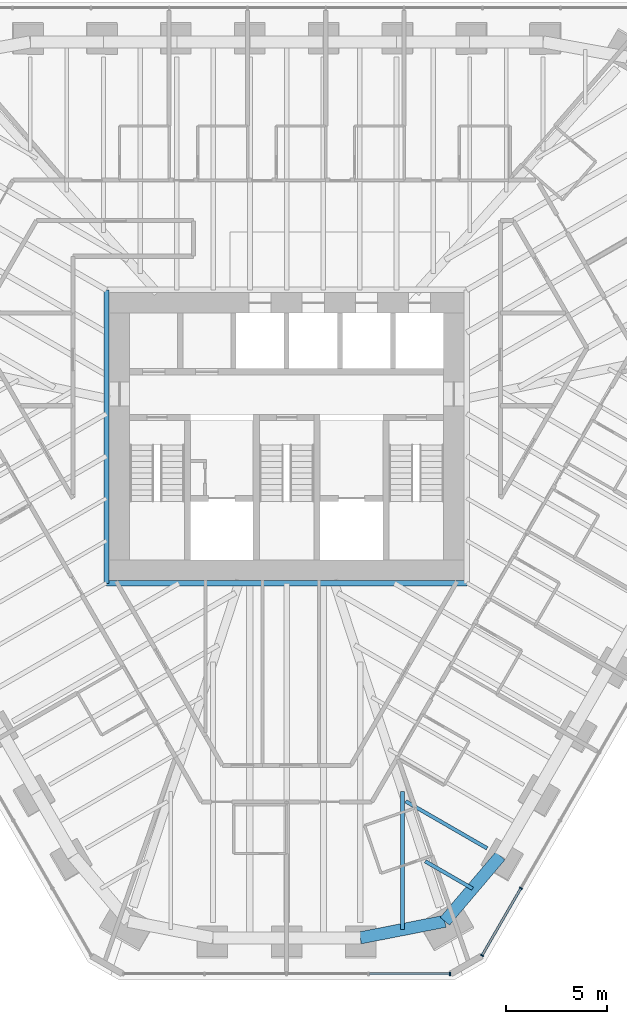
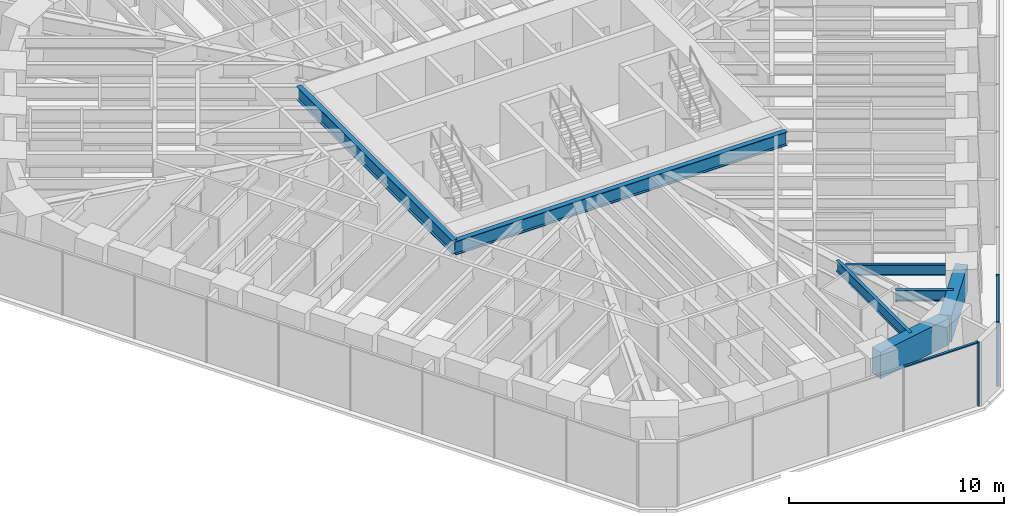
# One storey, part 4 of 17: 7 beams, 5 members, 2 elements without a shape of their own.
"""IFC4 building model written with IfcOpenShell, lengths in metres."""

import ifcopenshell
import ifcopenshell.guid

model = None  # the IFC model being written
_history = None  # IfcOwnerHistory: only IFC2X3 demands one
_inside = {}  # id of a spatial element -> (the spatial element, [elements in it])
_under = {}  # id of a project, library or spatial element -> (it, [spatial elements below it])
_declared = {}  # id of a project -> (the project, [libraries it declares])
_typed = {}  # id of a type object -> (the type object, [elements of that type])
_made_of = {}  # id of a material, layer set ... -> (it, [elements and type objects made of it])


def new_model(schema):
    """Start an empty IFC model of exactly this schema.

    Asked for "IFC4X3", IfcOpenShell would pick the latest addendum, in which some entities
    have other attributes; the version numbers below select the first issue.
    IFC2X3 requires an IfcOwnerHistory on every rooted entity: one is made here for all.
    """
    global model, _history
    if schema == "IFC4X3":
        model = ifcopenshell.file(schema_version=(4, 3, 0, 0))
    else:
        model = ifcopenshell.file(schema=schema)
    _inside.clear()
    _under.clear()
    _declared.clear()
    _typed.clear()
    _made_of.clear()
    _history = None
    if model.schema == "IFC2X3":
        org = make("IfcOrganization", Name="unknown")
        user = make(
            "IfcPersonAndOrganization",
            ThePerson=make("IfcPerson", FamilyName="unknown"),
            TheOrganization=org,
        )
        app = make(
            "IfcApplication",
            ApplicationDeveloper=org,
            Version="unknown",
            ApplicationFullName="unknown",
            ApplicationIdentifier="unknown",
        )
        _history = make(
            "IfcOwnerHistory",
            OwningUser=user,
            OwningApplication=app,
            ChangeAction="ADDED",
            CreationDate=0,
        )
    return model


def make(cls, **values):
    """One entity of the class cls with the attributes given. An attribute that is None is left unset."""
    return model.create_entity(
        cls, **{name: value for name, value in values.items() if value is not None}
    )


def rooted(cls, **values):
    """An entity with a GlobalId (a new one), such as an element, a storey or a relation."""
    return make(cls, GlobalId=ifcopenshell.guid.new(), OwnerHistory=_history, **values)


def si_unit(unit_type, name, prefix=None):
    """IfcSIUnit, for example si_unit("LENGTHUNIT", "METRE", prefix="MILLI")."""
    return make("IfcSIUnit", UnitType=unit_type, Prefix=prefix, Name=name)


def assignment(units):
    """IfcUnitAssignment: the units of a project."""
    return None if units is None else make("IfcUnitAssignment", Units=units)


def point(xyz):
    """IfcCartesianPoint."""
    return None if xyz is None else make("IfcCartesianPoint", Coordinates=xyz)


def direction(xyz):
    """IfcDirection."""
    return None if xyz is None else make("IfcDirection", DirectionRatios=xyz)


def frame(location, z_axis=None, x_axis=None):
    """IfcAxis2Placement3D, a coordinate frame: its origin and axes. An axis left out is left unset."""
    return make(
        "IfcAxis2Placement3D",
        Location=point(location),
        Axis=direction(z_axis),
        RefDirection=direction(x_axis),
    )


def frame_2d(location, x_axis=None):
    """IfcAxis2Placement2D, a coordinate frame in the plane: its origin and x axis."""
    return make(
        "IfcAxis2Placement2D", Location=point(location), RefDirection=direction(x_axis)
    )


def origin():
    """The frame at (0, 0, 0) with its axes left unset."""
    return frame((0.0, 0.0, 0.0))


def origin_2d():
    """The frame at (0, 0) in the plane with its x axis left unset."""
    return frame_2d((0.0, 0.0))


def place(relative_to, where):
    """IfcLocalPlacement: puts the frame where relative to a parent placement (None: the world)."""
    return make(
        "IfcLocalPlacement", PlacementRelTo=relative_to, RelativePlacement=where
    )


def context(
    kind, dimensions, precision=None, world=None, true_north=None, identifier=None
):
    """IfcGeometricRepresentationContext, for example the 3D "Model" context."""
    return make(
        "IfcGeometricRepresentationContext",
        ContextIdentifier=identifier,
        ContextType=kind,
        CoordinateSpaceDimension=dimensions,
        Precision=precision,
        WorldCoordinateSystem=world,
        TrueNorth=true_north,
    )


def subcontext(parent, identifier, kind, view, scale=None):
    """IfcGeometricRepresentationSubContext, for example "Body" below "Model"."""
    return make(
        "IfcGeometricRepresentationSubContext",
        ContextIdentifier=identifier,
        ContextType=kind,
        ParentContext=parent,
        TargetScale=scale,
        TargetView=view,
    )


def project(units=None, contexts=None):
    """IfcProject with its units and contexts."""
    return rooted(
        "IfcProject",
        Name="project",
        RepresentationContexts=contexts,
        UnitsInContext=assignment(units),
    )


def spatial(cls, under=None, at=None, **own):
    """A site, building, storey or space (cls), placed at a placement, below another one or the project."""
    s = rooted(cls, ObjectPlacement=at, **own)
    if under is not None:
        _under.setdefault(under.id(), (under, []))[1].append(s)
    return s


def profile(cls, at=None, kind="AREA", **sizes):
    """A parametric profile (cls). Its sizes go by their IFC names, for example OverallWidth=200.0."""
    return make(cls, ProfileType=kind, Position=at, **sizes)


def rectangle(**sizes):
    """IfcRectangleProfileDef."""
    return profile("IfcRectangleProfileDef", **sizes)


def i_section(**sizes):
    """IfcIShapeProfileDef."""
    return profile("IfcIShapeProfileDef", **sizes)


def extrude(swept, where, along, depth):
    """IfcExtrudedAreaSolid: the profile swept, set in the frame where, extruded along a direction by depth."""
    return make(
        "IfcExtrudedAreaSolid",
        SweptArea=swept,
        Position=where,
        ExtrudedDirection=direction(along),
        Depth=depth,
    )


def shape(context_of_items, identifier, shape_type, items):
    """IfcShapeRepresentation: the items that make up one representation, for example the "Body"."""
    return make(
        "IfcShapeRepresentation",
        ContextOfItems=context_of_items,
        RepresentationIdentifier=identifier,
        RepresentationType=shape_type,
        Items=items,
    )


def material(Name=None, Category=None):
    """IfcMaterial."""
    return make("IfcMaterial", Name=Name, Category=Category)


def material_profile(
    of_material, cross_section, Name=None, Category=None, Priority=None
):
    """IfcMaterialProfile: a cross section and its material."""
    return make(
        "IfcMaterialProfile",
        Name=Name,
        Material=of_material,
        Profile=cross_section,
        Priority=Priority,
        Category=Category,
    )


def profile_set(profiles, Name=None, composite=None):
    """IfcMaterialProfileSet."""
    return make(
        "IfcMaterialProfileSet",
        Name=Name,
        MaterialProfiles=profiles,
        CompositeProfile=composite,
    )


def made_of(thing, what):
    """Note that an element or type object is made of a material, layer set ...; save() writes the relation."""
    if what is not None:
        _made_of.setdefault(what.id(), (what, []))[1].append(thing)
    return thing


def type_object(cls, material=None, **own):
    """A type object (cls), such as IfcWallType, which elements share."""
    return made_of(rooted(cls, **own), material)


def element(
    cls,
    number,
    at=None,
    inside=None,
    cuts=None,
    type_object=None,
    material=None,
    context=None,
    identifier="Body",
    shape_type=None,
    held_by="IfcProductDefinitionShape",
    body=None,
    shapes=None,
    **own,
):
    """One element of the class cls, such as IfcWall. Its Tag is "e" and its number.

    at: its placement. inside: the storey or other place that contains it. cuts: it is an
    opening in that element (IfcRelVoidsElement). A single representation is given by context,
    identifier, shape_type and body (its items); several are given by shapes. held_by: the class
    of the entity that holds the representations. save() writes the other relations.
    """
    e = rooted(cls, Tag="e%d" % number, ObjectPlacement=at, **own)
    if body is not None:
        shapes = [shape(context, identifier, shape_type, body)]
    if shapes is not None:
        e.Representation = make(held_by, Representations=shapes)
    if inside is not None:
        _inside.setdefault(inside.id(), (inside, []))[1].append(e)
    if cuts is not None:
        rooted(
            "IfcRelVoidsElement", RelatingBuildingElement=cuts, RelatedOpeningElement=e
        )
    if type_object is not None:
        _typed.setdefault(type_object.id(), (type_object, []))[1].append(e)
    return made_of(e, material)


def aggregate(whole, parts):
    """IfcRelAggregates: a whole, such as a stair, and the parts it consists of."""
    return rooted("IfcRelAggregates", RelatingObject=whole, RelatedObjects=parts)


def save(model, path):
    """Write the relations noted so far, then the file.

    IfcRelAggregates (storeys below a building ...), IfcRelContainedInSpatialStructure (elements
    in a storey), IfcRelDefinesByType, IfcRelAssociatesMaterial and IfcRelDeclares: one each for
    every whole, place, type object, material and project.
    """
    for whole, parts in _under.values():
        aggregate(whole, parts)
    for where, things in _inside.values():
        rooted(
            "IfcRelContainedInSpatialStructure",
            RelatedElements=things,
            RelatingStructure=where,
        )
    for kind, things in _typed.values():
        rooted("IfcRelDefinesByType", RelatedObjects=things, RelatingType=kind)
    for what, things in _made_of.values():
        rooted("IfcRelAssociatesMaterial", RelatedObjects=things, RelatingMaterial=what)
    for by, libraries in _declared.values():
        rooted("IfcRelDeclares", RelatingContext=by, RelatedDefinitions=libraries)
    model.write(path)


model = new_model("IFC4")

# Units and contexts
model_context = context("Model", 3, precision=1e-05, world=origin(), true_north=direction((0.0, 1.0)))
body_context = subcontext(model_context, "Body", "Model", "MODEL_VIEW")
ifc_project = project(units=[si_unit("LENGTHUNIT", "METRE"), si_unit("AREAUNIT", "SQUARE_METRE"), si_unit("VOLUMEUNIT", "CUBIC_METRE"), si_unit("PLANEANGLEUNIT", "RADIAN"), si_unit("MASSUNIT", "GRAM", prefix="KILO")], contexts=[model_context])

# Site, building, storey
site_placement = place(None, origin())
site = spatial("IfcSite", under=ifc_project, at=site_placement, CompositionType="ELEMENT")
building_placement = place(site_placement, origin())
building = spatial("IfcBuilding", under=site, at=building_placement, Name="Sandreach Pilgrim Tower", CompositionType="ELEMENT")
storey_placement = place(building_placement, frame((0.0, 0.0, 236.39990234375)))
storey = spatial("IfcBuildingStorey", under=building, at=storey_placement, Name="L59", CompositionType="ELEMENT", Elevation=236.39990234375)

# Curtain wall, members
ifc_material_1 = material(Name="Aluminium framed curtain wall", Category="aluminium")
curtain_wall_type = type_object("IfcCurtainWallType", Name="Upper hotel tower curtain wall", PredefinedType="NOTDEFINED", material=ifc_material_1)
curtain_wall_1_placement = place(storey_placement, origin())
curtain_wall_1 = element("IfcCurtainWall", 1, at=curtain_wall_1_placement, inside=storey, type_object=curtain_wall_type, Name="CW-3 L59 SE", PredefinedType="NOTDEFINED")
ifc_material_2 = material(Name="Aluminium extrusion", Category="aluminium")
ifc_material_profile_1 = material_profile(ifc_material_2, rectangle(XDim=0.06494140625, YDim=0.159912109375, at=origin_2d()), Name="CW-3M 65X160")
ifc_profile_set_1 = profile_set([ifc_material_profile_1], Name="Aluminium extrusion")
member_type_1 = type_object("IfcMemberType", Name="CW-3 mullion", PredefinedType="MULLION", material=ifc_profile_set_1)
member_1_placement = place(storey_placement, frame((11.5625, -22.29345703125, 0.0), z_axis=(0.0, 0.0, 1.0), x_axis=(-0.5, -0.866025403784, 0.0)))
member_1 = element("IfcMember", 2, at=member_1_placement, type_object=member_type_1, Name="CW-3 mullion 9", PredefinedType="MULLION", context=body_context, shape_type="SweptSolid", body=[
    extrude(rectangle(XDim=0.06494140625, YDim=0.159912109375, at=origin_2d()), origin(), (0.0, 0.0, 1.0), 3.64013671875),
])
member_2_placement = place(storey_placement, frame((9.646484375, -25.612060546875, 0.0), z_axis=(0.0, 0.0, 1.0), x_axis=(-0.5, -0.866025403784, 0.0)))
member_2 = element("IfcMember", 3, at=member_2_placement, type_object=member_type_1, Name="CW-3 mullion 10", PredefinedType="MULLION", context=body_context, shape_type="SweptSolid", body=[
    extrude(rectangle(XDim=0.06494140625, YDim=0.159912109375, at=origin_2d()), origin(), (0.0, 0.0, 1.0), 3.64013671875),
])

# Curtain wall, member
curtain_wall_2_placement = place(storey_placement, origin())
curtain_wall_2 = element("IfcCurtainWall", 4, at=curtain_wall_2_placement, inside=storey, type_object=curtain_wall_type, Name="CW-3 L59 S", PredefinedType="NOTDEFINED")
member_3_placement = place(storey_placement, frame((8.06494140625, -26.525146484375, 0.0), z_axis=(0.0, 0.0, 1.0), x_axis=(-1.0, 0.0, 0.0)))
member_3 = element("IfcMember", 5, at=member_3_placement, type_object=member_type_1, Name="CW-3 mullion 1", PredefinedType="MULLION", context=body_context, shape_type="SweptSolid", body=[
    extrude(rectangle(XDim=0.06494140625, YDim=0.159912109375, at=origin_2d()), origin(), (0.0, 0.0, 1.0), 3.64013671875),
])

# Member
ifc_material_3 = material(Name="Aluminium extrusion", Category="aluminium")
ifc_material_profile_2 = material_profile(ifc_material_3, rectangle(XDim=0.1201171875, YDim=0.070068359375, at=origin_2d()), Name="CW-3T 120X70")
ifc_profile_set_2 = profile_set([ifc_material_profile_2], Name="Aluminium extrusion")
member_type_2 = type_object("IfcMemberType", Name="CW-3 transom", PredefinedType="USERDEFINED", material=ifc_profile_set_2)
member_4_placement = place(storey_placement, frame((11.546142578125, -22.321533203125, 3.60498046875), z_axis=(-0.499973055223, -0.8660409598, 0.0), x_axis=(0.8660409598, -0.499973055223, 0.0)))
member_4 = element("IfcMember", 6, at=member_4_placement, type_object=member_type_2, Name="CW-3 head transom 9", ObjectType="TRANSOM", PredefinedType="USERDEFINED", context=body_context, shape_type="SweptSolid", body=[
    extrude(rectangle(XDim=0.1201171875, YDim=0.070068359375, at=origin_2d()), origin(), (0.0, 0.0, 1.0), 3.766845703125),
])

aggregate(curtain_wall_1, [member_1, member_2, member_4])

member_5_placement = place(storey_placement, frame((8.032470703125, -26.525146484375, 3.60498046875), z_axis=(-1.0, 0.0, 0.0), x_axis=(0.0, -1.0, 0.0)))
member_5 = element("IfcMember", 7, at=member_5_placement, type_object=member_type_2, Name="CW-3 head transom 1", ObjectType="TRANSOM", PredefinedType="USERDEFINED", context=body_context, shape_type="SweptSolid", body=[
    extrude(rectangle(XDim=0.1201171875, YDim=0.070068359375, at=origin_2d()), origin(), (0.0, 0.0, 1.0), 3.951171875),
])

aggregate(curtain_wall_2, [member_3, member_5])

# Beams
ifc_material_4 = material(Name="Steel ASTM A992 Grade 50", Category="steel")
ifc_material_profile_3 = material_profile(ifc_material_4, i_section(OverallWidth=0.2666015625, OverallDepth=0.77978515625, WebThickness=0.0166015625, FlangeThickness=0.030029296875, at=origin_2d()), Name="W30X148")
ifc_profile_set_3 = profile_set([ifc_material_profile_3], Name="Steel ASTM A992 Grade 50")
beam_type_1 = type_object("IfcBeamType", Name="Core edge beam W30X148", PredefinedType="BEAM", material=ifc_profile_set_3)
beam_1_placement = place(storey_placement, frame((8.893310546875, -7.243408203125, 3.250244140625), z_axis=(-1.0, 0.0, 0.0), x_axis=(0.0, -1.0, 0.0)))
element("IfcBeam", 8, at=beam_1_placement, inside=storey, type_object=beam_type_1, Name="BM L59 CES", PredefinedType="BEAM", context=body_context, shape_type="SweptSolid", body=[
    extrude(i_section(OverallWidth=0.2666015625, OverallDepth=0.77978515625, WebThickness=0.0166015625, FlangeThickness=0.030029296875, at=origin_2d()), origin(), (0.0, 0.0, 1.0), 17.78662109375),
])
beam_2_placement = place(storey_placement, frame((-8.893310546875, -7.243408203125, 3.250244140625), z_axis=(0.0, 1.0, 0.0), x_axis=(-1.0, 0.0, 0.0)))
element("IfcBeam", 9, at=beam_2_placement, inside=storey, type_object=beam_type_1, Name="BM L59 CEW", PredefinedType="BEAM", context=body_context, shape_type="SweptSolid", body=[
    extrude(i_section(OverallWidth=0.2666015625, OverallDepth=0.77978515625, WebThickness=0.0166015625, FlangeThickness=0.030029296875, at=origin_2d()), origin(), (0.0, 0.0, 1.0), 14.48681640625),
])
ifc_material_5 = material(Name="Steel ASTM A992 Grade 50", Category="steel")
ifc_material_profile_4 = material_profile(ifc_material_5, i_section(OverallWidth=0.1787109375, OverallDepth=0.60205078125, WebThickness=0.010986328125, FlangeThickness=0.014892578125, at=origin_2d()), Name="W24X62")
ifc_profile_set_4 = profile_set([ifc_material_profile_4], Name="Steel ASTM A992 Grade 50")
beam_type_2 = type_object("IfcBeamType", Name="Floor beam W24X62", PredefinedType="BEAM", material=ifc_profile_set_4)
beam_3_placement = place(storey_placement, frame((9.897705078125, -20.325927734375, 3.339111328125), z_axis=(-0.866020945878, 0.500007721242, 0.0), x_axis=(-0.500007721242, -0.866020945878, 0.0)))
element("IfcBeam", 10, at=beam_3_placement, inside=storey, type_object=beam_type_2, Name="BM L59 F21", PredefinedType="BEAM", context=body_context, shape_type="SweptSolid", body=[
    extrude(i_section(OverallWidth=0.1787109375, OverallDepth=0.60205078125, WebThickness=0.010986328125, FlangeThickness=0.014892578125, at=origin_2d()), origin(), (0.0, 0.0, 1.0), 4.642578125),
])
beam_4_placement = place(storey_placement, frame((9.178955078125, -22.314208984375, 3.339111328125), z_axis=(-0.866039334336, 0.4999758708, 0.0), x_axis=(-0.4999758708, -0.866039334336, 0.0)))
element("IfcBeam", 11, at=beam_4_placement, inside=storey, type_object=beam_type_2, Name="BM L59 FM21", PredefinedType="BEAM", context=body_context, shape_type="SweptSolid", body=[
    extrude(i_section(OverallWidth=0.1787109375, OverallDepth=0.60205078125, WebThickness=0.010986328125, FlangeThickness=0.014892578125, at=origin_2d()), origin(), (0.0, 0.0, 1.0), 2.696533203125),
])
beam_5_placement = place(storey_placement, frame((5.722412109375, -24.33642578125, 3.339111328125), z_axis=(0.0, 1.0, 0.0), x_axis=(-1.0, 0.0, 0.0)))
element("IfcBeam", 12, at=beam_5_placement, inside=storey, type_object=beam_type_2, Name="BM L59 FM22", PredefinedType="BEAM", context=body_context, shape_type="SweptSolid", body=[
    extrude(i_section(OverallWidth=0.1787109375, OverallDepth=0.60205078125, WebThickness=0.010986328125, FlangeThickness=0.014892578125, at=origin_2d()), origin(), (0.0, 0.0, 1.0), 6.80615234375),
])
ifc_material_6 = material(Name="Concrete 10000 psi", Category="concrete")
ifc_material_profile_5 = material_profile(ifc_material_6, rectangle(XDim=0.60009765625, YDim=1.5, at=origin_2d()), Name="RC600X1500")
ifc_profile_set_5 = profile_set([ifc_material_profile_5], Name="Concrete 10000 psi")
beam_type_3 = type_object("IfcBeamType", Name="Spandrel beam RC600X1500", PredefinedType="SPANDREL", material=ifc_profile_set_5)
beam_6_placement = place(storey_placement, frame((10.54736328125, -20.700927734375, 2.89013671875), z_axis=(-0.646885939391, -0.762586769764, 0.0), x_axis=(0.762586769764, -0.646885939391, 0.0)))
element("IfcBeam", 13, at=beam_6_placement, inside=storey, type_object=beam_type_3, Name="BM L59 SP21", PredefinedType="SPANDREL", context=body_context, shape_type="SweptSolid", body=[
    extrude(rectangle(XDim=0.60009765625, YDim=1.5, at=origin_2d()), origin(), (0.0, 0.0, 1.0), 4.230712890625),
])
beam_7_placement = place(storey_placement, frame((7.810546875, -23.92724609375, 2.89013671875), z_axis=(-0.981327976523, -0.192341889594, 0.0), x_axis=(0.192341889594, -0.981327976523, 0.0)))
element("IfcBeam", 14, at=beam_7_placement, inside=storey, type_object=beam_type_3, Name="BM L59 SP22", PredefinedType="SPANDREL", context=body_context, shape_type="SweptSolid", body=[
    extrude(rectangle(XDim=0.60009765625, YDim=1.5, at=origin_2d()), origin(), (0.0, 0.0, 1.0), 4.256103515625),
])

save(model, "model.ifc")
